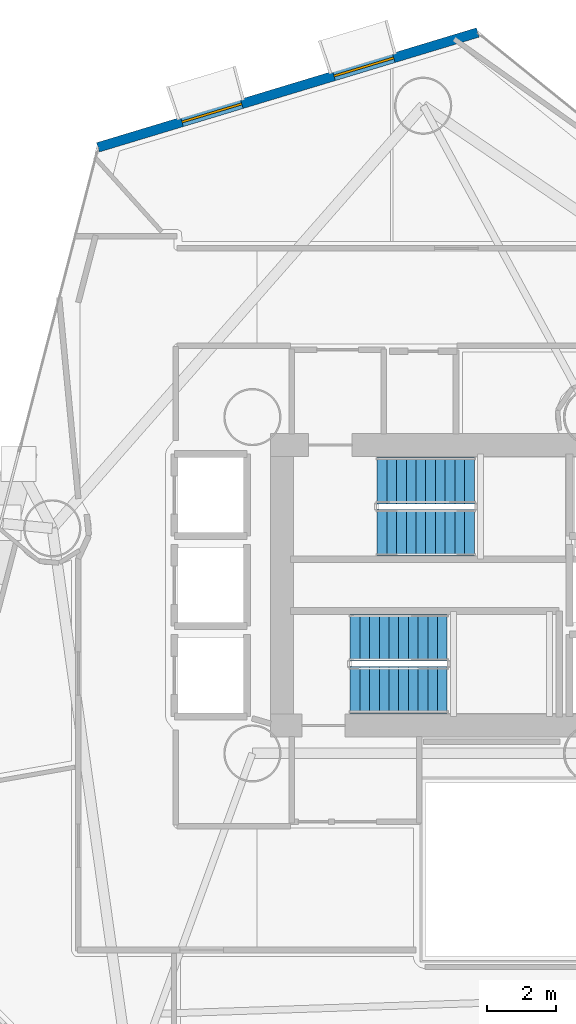
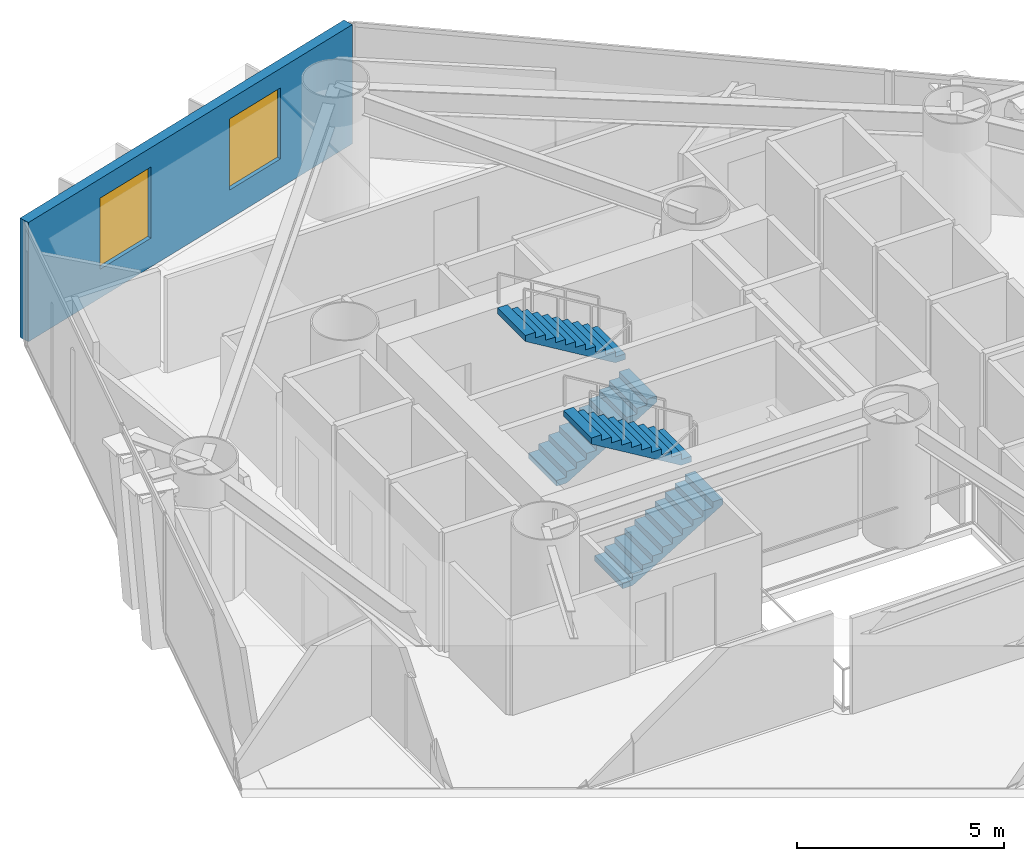
# One storey, part 19 of 23: 4 stair flights, 2 windows, 1 wall, 2 openings, 2 elements without a shape of their own.
"""IFC4 building model written with IfcOpenShell, lengths in metres."""

from ifc_helpers import new_model, si_unit, direction, frame, frame_2d, origin, place, context, subcontext, project, spatial, polyline, rectangle, outline, extrude, material, layer, layer_set, type_object, element, fill, aggregate, save


model = new_model("IFC4")

# Units and contexts
model_context = context("Model", 3, precision=1e-05, world=origin(), true_north=direction((0.0, 1.0)))
body_context = subcontext(model_context, "Body", "Model", "MODEL_VIEW")
ifc_project = project(units=[si_unit("LENGTHUNIT", "METRE"), si_unit("AREAUNIT", "SQUARE_METRE"), si_unit("VOLUMEUNIT", "CUBIC_METRE"), si_unit("PLANEANGLEUNIT", "RADIAN"), si_unit("MASSUNIT", "GRAM", prefix="KILO")], contexts=[model_context])

# Site, building, storey
site_placement = place(None, origin())
site = spatial("IfcSite", under=ifc_project, at=site_placement, CompositionType="ELEMENT")
building_placement = place(site_placement, origin())
building = spatial("IfcBuilding", under=site, at=building_placement, Name="Qianvela Tower", CompositionType="ELEMENT")
storey_placement = place(building_placement, frame((0.0, 0.0, 82.10009765625)))
storey = spatial("IfcBuildingStorey", under=building, at=storey_placement, Name="L20", CompositionType="ELEMENT", Elevation=82.10009765625)

# Wall, openings, windows
ifc_material_1 = material(Name="Terracotta Cladding on Concrete C40", Category="masonry")
ifc_layer = layer(ifc_material_1, 0.280029296875)
ifc_layer_set = layer_set([ifc_layer], Name="Terracotta Cladding on Concrete C40")
wall_type = type_object("IfcWallType", Name="TERRACOTTA-WALL-280", PredefinedType="SOLIDWALL", material=ifc_layer_set)
wall_placement = place(storey_placement, frame((35.101806640625, 44.6416015625, 0.0), z_axis=(0.0, 0.0, 1.0), x_axis=(-0.957189300647, -0.289462679334, 0.0)))
wall = element("IfcWall", 1, at=wall_placement, inside=storey, type_object=wall_type, Name="L20 Terracotta Chamfer Facet Wall 3", PredefinedType="SOLIDWALL", context=body_context, shape_type="SweptSolid", body=[
    extrude(rectangle(XDim=11.4453125, YDim=0.280029296875, at=frame_2d((5.72265625, 0.0))), origin(), (0.0, 0.0, 1.0), 3.52001953125),
])
opening_1_placement = place(wall_placement, frame((2.53369140625, 0.0, 0.85009765625)))
opening_1 = element("IfcOpeningElement", 2, at=opening_1_placement, cuts=wall, Name="Opening W-01", PredefinedType="OPENING", context=body_context, shape_type="SweptSolid", body=[
    extrude(rectangle(XDim=1.800048828125, YDim=2.10009765625, at=frame_2d((0.89990234375, 1.050048828125))), frame((0.0, 0.14990234375, 0.0), z_axis=(0.0, -1.0, 0.0), x_axis=(1.0, 0.0, 0.0)), (0.0, 0.0, 1.0), 0.300048828125),
])
opening_2_placement = place(wall_placement, frame((7.111572265625, 0.0, 0.85009765625)))
opening_2 = element("IfcOpeningElement", 3, at=opening_2_placement, cuts=wall, Name="Opening W-01", PredefinedType="OPENING", context=body_context, shape_type="SweptSolid", body=[
    extrude(rectangle(XDim=1.800048828125, YDim=2.10009765625, at=frame_2d((0.89990234375, 1.050048828125))), frame((0.0, 0.14990234375, 0.0), z_axis=(0.0, -1.0, 0.0), x_axis=(1.0, 0.0, 0.0)), (0.0, 0.0, 1.0), 0.300048828125),
])
ifc_material_2 = material(Name="Thermally Broken Aluminium and Low-E Glass", Category="aluminium")
window_type = type_object("IfcWindowType", Name="WIN-TC-1800x2100", PartitioningType="DOUBLE_PANEL_VERTICAL", PredefinedType="WINDOW", material=ifc_material_2)
window_1_placement = place(opening_1_placement, origin())
window_1 = element("IfcWindow", 4, at=window_1_placement, inside=storey, type_object=window_type, Name="L20 Chamfer Facet Window 3.1", OverallHeight=2.10009765625, OverallWidth=1.800048828125, PartitioningType="SINGLE_PANEL", PredefinedType="WINDOW", context=body_context, shape_type="SweptSolid", body=[
    extrude(rectangle(XDim=1.800048828125, YDim=2.10009765625, at=frame_2d((0.89990234375, 1.050048828125))), frame((0.0, 0.030029296875, 0.0), z_axis=(0.0, -1.0, 0.0), x_axis=(1.0, 0.0, 0.0)), (0.0, 0.0, 1.0), 0.06005859375),
])
fill(opening_1, window_1)
window_2_placement = place(opening_2_placement, origin())
window_2 = element("IfcWindow", 5, at=window_2_placement, inside=storey, type_object=window_type, Name="L20 Chamfer Facet Window 3.2", OverallHeight=2.10009765625, OverallWidth=1.800048828125, PartitioningType="SINGLE_PANEL", PredefinedType="WINDOW", context=body_context, shape_type="SweptSolid", body=[
    extrude(rectangle(XDim=1.800048828125, YDim=2.10009765625, at=frame_2d((0.89990234375, 1.050048828125))), frame((0.0, 0.030029296875, 0.0), z_axis=(0.0, -1.0, 0.0), x_axis=(1.0, 0.0, 0.0)), (0.0, 0.0, 1.0), 0.06005859375),
])
fill(opening_2, window_2)

# Stair, stair flights
ifc_material_3 = material(Name="Concrete C40", Category="concrete")
stair_type = type_object("IfcStairType", Name="ST-DOGLEG-1350-R168-N22", PredefinedType="HALF_TURN_STAIR", material=ifc_material_3)
stair_1_placement = place(storey_placement, origin())
stair_1 = element("IfcStair", 6, at=stair_1_placement, inside=storey, type_object=stair_type, Name="L20 Smoke-Proof Core Stair ST-1", PredefinedType="HALF_TURN_STAIR")
ifc_material_4 = material(Name="Concrete C40", Category="concrete")
stair_flight_type = type_object("IfcStairFlightType", Name="STF-STRAIGHT-R168-P11", PredefinedType="STRAIGHT", material=ifc_material_4)
stair_flight_1_placement = place(storey_placement, frame((32.199951171875, 30.215087890625, 0.0), z_axis=(0.0, 0.0, 1.0), x_axis=(1.0, 0.0, 0.0)))
stair_flight_1 = element("IfcStairFlight", 7, at=stair_flight_1_placement, type_object=stair_flight_type, Name="ST-1 flight 1", NumberOfRisers=11, NumberOfTreads=10, PredefinedType="STRAIGHT", RiserHeight=0.168181818, TreadLength=0.28, context=body_context, shape_type="SweptSolid", body=[
    extrude(outline(polyline([(0.0, 0.0), (0.0, 0.168212890625), (0.280029296875, 0.168212890625), (0.280029296875, 0.33642578125), (0.56005859375, 0.33642578125), (0.56005859375, 0.504638671875), (0.840087890625, 0.504638671875), (0.840087890625, 0.672607421875), (1.1201171875, 0.672607421875), (1.1201171875, 0.8408203125), (1.39990234375, 0.8408203125), (1.39990234375, 1.009033203125), (1.679931640625, 1.009033203125), (1.679931640625, 1.17724609375), (1.9599609375, 1.17724609375), (1.9599609375, 1.345458984375), (2.239990234375, 1.345458984375), (2.239990234375, 1.513671875), (2.52001953125, 1.513671875), (2.52001953125, 1.681884765625), (2.800048828125, 1.681884765625), (2.800048828125, 1.85009765625), (2.800048828125, 1.5068359375), (0.291015625, 0.0), (0.0, 0.0)])), frame((0.0, 0.675048828125, 0.0), z_axis=(0.0, -1.0, 0.0), x_axis=(1.0, 0.0, 0.0)), (0.0, 0.0, 1.0), 1.35009765625),
])
stair_flight_2_placement = place(storey_placement, frame((35.0, 31.72509765625, 1.849853515625), z_axis=(0.0, 0.0, 1.0), x_axis=(-1.0, 0.0, 0.0)))
stair_flight_2 = element("IfcStairFlight", 8, at=stair_flight_2_placement, type_object=stair_flight_type, Name="ST-1 flight 2", NumberOfRisers=11, NumberOfTreads=10, PredefinedType="STRAIGHT", RiserHeight=0.168181818, TreadLength=0.28, context=body_context, shape_type="SweptSolid", body=[
    extrude(outline(polyline([(0.0, 0.0), (0.0, 0.168212890625), (0.280029296875, 0.168212890625), (0.280029296875, 0.33642578125), (0.56005859375, 0.33642578125), (0.56005859375, 0.504638671875), (0.840087890625, 0.504638671875), (0.840087890625, 0.672607421875), (1.1201171875, 0.672607421875), (1.1201171875, 0.8408203125), (1.39990234375, 0.8408203125), (1.39990234375, 1.009033203125), (1.679931640625, 1.009033203125), (1.679931640625, 1.17724609375), (1.9599609375, 1.17724609375), (1.9599609375, 1.345458984375), (2.239990234375, 1.345458984375), (2.239990234375, 1.513671875), (2.52001953125, 1.513671875), (2.52001953125, 1.681884765625), (2.800048828125, 1.681884765625), (2.800048828125, 1.85009765625), (2.800048828125, 1.5068359375), (0.291015625, 0.0), (0.0, 0.0)])), frame((0.0, 0.675048828125, 0.0), z_axis=(0.0, -1.0, 0.0), x_axis=(1.0, 0.0, 0.0)), (0.0, 0.0, 1.0), 1.35009765625),
])
aggregate(stair_1, [stair_flight_1, stair_flight_2])

stair_2_placement = place(storey_placement, origin())
stair_2 = element("IfcStair", 9, at=stair_2_placement, inside=storey, type_object=stair_type, Name="L20 Smoke-Proof Core Stair ST-2", PredefinedType="HALF_TURN_STAIR")
stair_flight_3_placement = place(storey_placement, frame((31.419921875, 25.675048828125, 0.0), z_axis=(0.0, 0.0, 1.0), x_axis=(1.0, 0.0, 0.0)))
stair_flight_3 = element("IfcStairFlight", 10, at=stair_flight_3_placement, type_object=stair_flight_type, Name="ST-2 flight 1", NumberOfRisers=11, NumberOfTreads=10, PredefinedType="STRAIGHT", RiserHeight=0.168181818, TreadLength=0.28, context=body_context, shape_type="SweptSolid", body=[
    extrude(outline(polyline([(0.0, 0.0), (0.0, 0.168212890625), (0.280029296875, 0.168212890625), (0.280029296875, 0.33642578125), (0.56005859375, 0.33642578125), (0.56005859375, 0.504638671875), (0.840087890625, 0.504638671875), (0.840087890625, 0.672607421875), (1.1201171875, 0.672607421875), (1.1201171875, 0.8408203125), (1.39990234375, 0.8408203125), (1.39990234375, 1.009033203125), (1.679931640625, 1.009033203125), (1.679931640625, 1.17724609375), (1.9599609375, 1.17724609375), (1.9599609375, 1.345458984375), (2.239990234375, 1.345458984375), (2.239990234375, 1.513671875), (2.52001953125, 1.513671875), (2.52001953125, 1.681884765625), (2.800048828125, 1.681884765625), (2.800048828125, 1.85009765625), (2.800048828125, 1.5068359375), (0.291015625, 0.0), (0.0, 0.0)])), frame((0.0, 0.675048828125, 0.0), z_axis=(0.0, -1.0, 0.0), x_axis=(1.0, 0.0, 0.0)), (0.0, 0.0, 1.0), 1.35009765625),
])
stair_flight_4_placement = place(storey_placement, frame((34.219970703125, 27.18505859375, 1.849853515625), z_axis=(0.0, 0.0, 1.0), x_axis=(-1.0, 0.0, 0.0)))
stair_flight_4 = element("IfcStairFlight", 11, at=stair_flight_4_placement, type_object=stair_flight_type, Name="ST-2 flight 2", NumberOfRisers=11, NumberOfTreads=10, PredefinedType="STRAIGHT", RiserHeight=0.168181818, TreadLength=0.28, context=body_context, shape_type="SweptSolid", body=[
    extrude(outline(polyline([(0.0, 0.0), (0.0, 0.168212890625), (0.280029296875, 0.168212890625), (0.280029296875, 0.33642578125), (0.56005859375, 0.33642578125), (0.56005859375, 0.504638671875), (0.840087890625, 0.504638671875), (0.840087890625, 0.672607421875), (1.1201171875, 0.672607421875), (1.1201171875, 0.8408203125), (1.39990234375, 0.8408203125), (1.39990234375, 1.009033203125), (1.679931640625, 1.009033203125), (1.679931640625, 1.17724609375), (1.9599609375, 1.17724609375), (1.9599609375, 1.345458984375), (2.239990234375, 1.345458984375), (2.239990234375, 1.513671875), (2.52001953125, 1.513671875), (2.52001953125, 1.681884765625), (2.800048828125, 1.681884765625), (2.800048828125, 1.85009765625), (2.800048828125, 1.5068359375), (0.291015625, 0.0), (0.0, 0.0)])), frame((0.0, 0.675048828125, 0.0), z_axis=(0.0, -1.0, 0.0), x_axis=(1.0, 0.0, 0.0)), (0.0, 0.0, 1.0), 1.35009765625),
])
aggregate(stair_2, [stair_flight_3, stair_flight_4])

save(model, "model.ifc")
